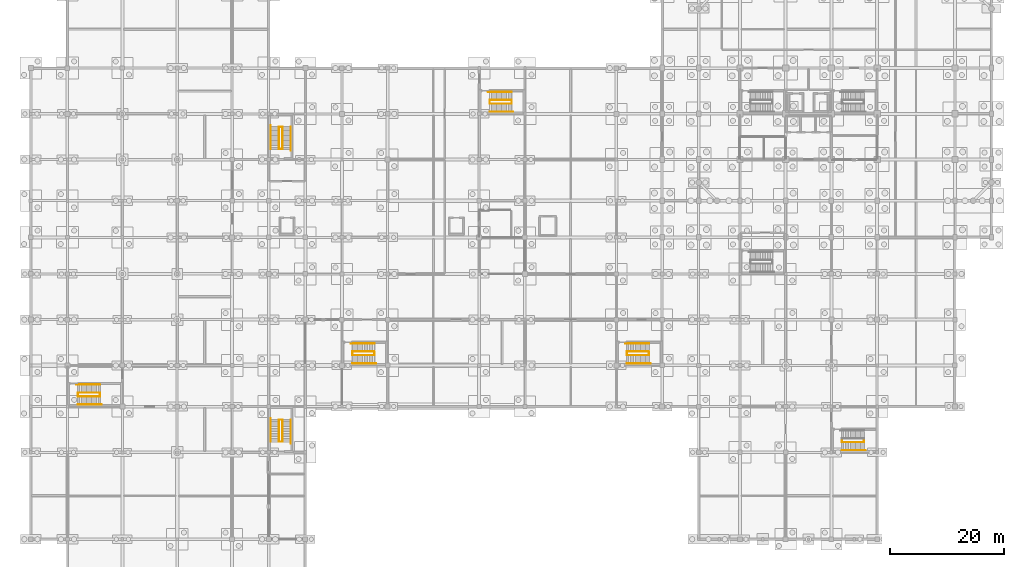
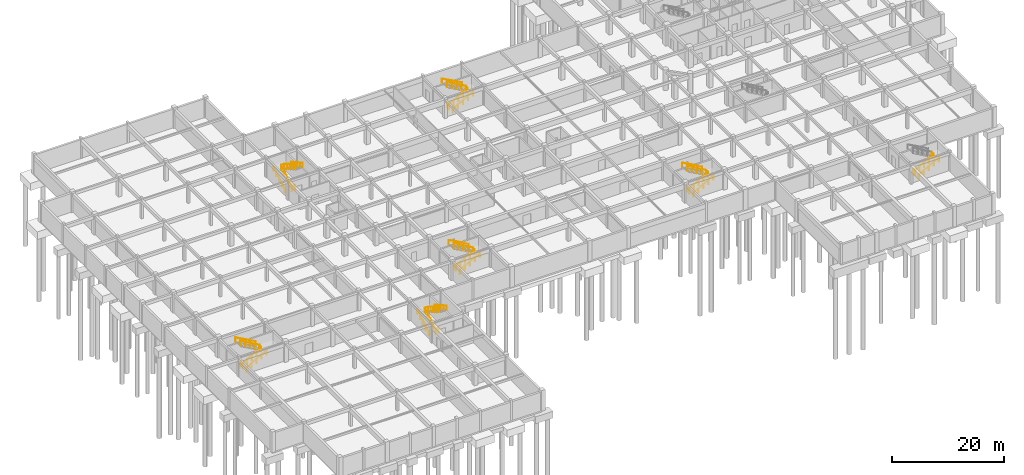
# One storey, part 27 of 28: 26 railings.
"""IFC4 building model written with IfcOpenShell, lengths in metres."""

import ifcopenshell
import ifcopenshell.guid

model = None  # the IFC model being written
_history = None  # IfcOwnerHistory: only IFC2X3 demands one
_inside = {}  # id of a spatial element -> (the spatial element, [elements in it])
_under = {}  # id of a project, library or spatial element -> (it, [spatial elements below it])
_declared = {}  # id of a project -> (the project, [libraries it declares])
_typed = {}  # id of a type object -> (the type object, [elements of that type])
_made_of = {}  # id of a material, layer set ... -> (it, [elements and type objects made of it])


def new_model(schema):
    """Start an empty IFC model of exactly this schema.

    Asked for "IFC4X3", IfcOpenShell would pick the latest addendum, in which some entities
    have other attributes; the version numbers below select the first issue.
    IFC2X3 requires an IfcOwnerHistory on every rooted entity: one is made here for all.
    """
    global model, _history
    if schema == "IFC4X3":
        model = ifcopenshell.file(schema_version=(4, 3, 0, 0))
    else:
        model = ifcopenshell.file(schema=schema)
    _inside.clear()
    _under.clear()
    _declared.clear()
    _typed.clear()
    _made_of.clear()
    _history = None
    if model.schema == "IFC2X3":
        org = make("IfcOrganization", Name="unknown")
        user = make(
            "IfcPersonAndOrganization",
            ThePerson=make("IfcPerson", FamilyName="unknown"),
            TheOrganization=org,
        )
        app = make(
            "IfcApplication",
            ApplicationDeveloper=org,
            Version="unknown",
            ApplicationFullName="unknown",
            ApplicationIdentifier="unknown",
        )
        _history = make(
            "IfcOwnerHistory",
            OwningUser=user,
            OwningApplication=app,
            ChangeAction="ADDED",
            CreationDate=0,
        )
    return model


def make(cls, **values):
    """One entity of the class cls with the attributes given. An attribute that is None is left unset."""
    return model.create_entity(
        cls, **{name: value for name, value in values.items() if value is not None}
    )


def rooted(cls, **values):
    """An entity with a GlobalId (a new one), such as an element, a storey or a relation."""
    return make(cls, GlobalId=ifcopenshell.guid.new(), OwnerHistory=_history, **values)


def si_unit(unit_type, name, prefix=None):
    """IfcSIUnit, for example si_unit("LENGTHUNIT", "METRE", prefix="MILLI")."""
    return make("IfcSIUnit", UnitType=unit_type, Prefix=prefix, Name=name)


def assignment(units):
    """IfcUnitAssignment: the units of a project."""
    return None if units is None else make("IfcUnitAssignment", Units=units)


def point(xyz):
    """IfcCartesianPoint."""
    return None if xyz is None else make("IfcCartesianPoint", Coordinates=xyz)


def direction(xyz):
    """IfcDirection."""
    return None if xyz is None else make("IfcDirection", DirectionRatios=xyz)


def frame(location, z_axis=None, x_axis=None):
    """IfcAxis2Placement3D, a coordinate frame: its origin and axes. An axis left out is left unset."""
    return make(
        "IfcAxis2Placement3D",
        Location=point(location),
        Axis=direction(z_axis),
        RefDirection=direction(x_axis),
    )


def frame_2d(location, x_axis=None):
    """IfcAxis2Placement2D, a coordinate frame in the plane: its origin and x axis."""
    return make(
        "IfcAxis2Placement2D", Location=point(location), RefDirection=direction(x_axis)
    )


def origin():
    """The frame at (0, 0, 0) with its axes left unset."""
    return frame((0.0, 0.0, 0.0))


def origin_2d():
    """The frame at (0, 0) in the plane with its x axis left unset."""
    return frame_2d((0.0, 0.0))


def place(relative_to, where):
    """IfcLocalPlacement: puts the frame where relative to a parent placement (None: the world)."""
    return make(
        "IfcLocalPlacement", PlacementRelTo=relative_to, RelativePlacement=where
    )


def context(
    kind, dimensions, precision=None, world=None, true_north=None, identifier=None
):
    """IfcGeometricRepresentationContext, for example the 3D "Model" context."""
    return make(
        "IfcGeometricRepresentationContext",
        ContextIdentifier=identifier,
        ContextType=kind,
        CoordinateSpaceDimension=dimensions,
        Precision=precision,
        WorldCoordinateSystem=world,
        TrueNorth=true_north,
    )


def subcontext(parent, identifier, kind, view, scale=None):
    """IfcGeometricRepresentationSubContext, for example "Body" below "Model"."""
    return make(
        "IfcGeometricRepresentationSubContext",
        ContextIdentifier=identifier,
        ContextType=kind,
        ParentContext=parent,
        TargetScale=scale,
        TargetView=view,
    )


def project(units=None, contexts=None):
    """IfcProject with its units and contexts."""
    return rooted(
        "IfcProject",
        Name="project",
        RepresentationContexts=contexts,
        UnitsInContext=assignment(units),
    )


def spatial(cls, under=None, at=None, **own):
    """A site, building, storey or space (cls), placed at a placement, below another one or the project."""
    s = rooted(cls, ObjectPlacement=at, **own)
    if under is not None:
        _under.setdefault(under.id(), (under, []))[1].append(s)
    return s


def profile(cls, at=None, kind="AREA", **sizes):
    """A parametric profile (cls). Its sizes go by their IFC names, for example OverallWidth=200.0."""
    return make(cls, ProfileType=kind, Position=at, **sizes)


def circle(**sizes):
    """IfcCircleProfileDef."""
    return profile("IfcCircleProfileDef", **sizes)


def extrude(swept, where, along, depth):
    """IfcExtrudedAreaSolid: the profile swept, set in the frame where, extruded along a direction by depth."""
    return make(
        "IfcExtrudedAreaSolid",
        SweptArea=swept,
        Position=where,
        ExtrudedDirection=direction(along),
        Depth=depth,
    )


def shape(context_of_items, identifier, shape_type, items):
    """IfcShapeRepresentation: the items that make up one representation, for example the "Body"."""
    return make(
        "IfcShapeRepresentation",
        ContextOfItems=context_of_items,
        RepresentationIdentifier=identifier,
        RepresentationType=shape_type,
        Items=items,
    )


def material(Name=None, Category=None):
    """IfcMaterial."""
    return make("IfcMaterial", Name=Name, Category=Category)


def made_of(thing, what):
    """Note that an element or type object is made of a material, layer set ...; save() writes the relation."""
    if what is not None:
        _made_of.setdefault(what.id(), (what, []))[1].append(thing)
    return thing


def type_object(cls, material=None, **own):
    """A type object (cls), such as IfcWallType, which elements share."""
    return made_of(rooted(cls, **own), material)


def element(
    cls,
    number,
    at=None,
    inside=None,
    cuts=None,
    type_object=None,
    material=None,
    context=None,
    identifier="Body",
    shape_type=None,
    held_by="IfcProductDefinitionShape",
    body=None,
    shapes=None,
    **own,
):
    """One element of the class cls, such as IfcWall. Its Tag is "e" and its number.

    at: its placement. inside: the storey or other place that contains it. cuts: it is an
    opening in that element (IfcRelVoidsElement). A single representation is given by context,
    identifier, shape_type and body (its items); several are given by shapes. held_by: the class
    of the entity that holds the representations. save() writes the other relations.
    """
    e = rooted(cls, Tag="e%d" % number, ObjectPlacement=at, **own)
    if body is not None:
        shapes = [shape(context, identifier, shape_type, body)]
    if shapes is not None:
        e.Representation = make(held_by, Representations=shapes)
    if inside is not None:
        _inside.setdefault(inside.id(), (inside, []))[1].append(e)
    if cuts is not None:
        rooted(
            "IfcRelVoidsElement", RelatingBuildingElement=cuts, RelatedOpeningElement=e
        )
    if type_object is not None:
        _typed.setdefault(type_object.id(), (type_object, []))[1].append(e)
    return made_of(e, material)


def aggregate(whole, parts):
    """IfcRelAggregates: a whole, such as a stair, and the parts it consists of."""
    return rooted("IfcRelAggregates", RelatingObject=whole, RelatedObjects=parts)


def save(model, path):
    """Write the relations noted so far, then the file.

    IfcRelAggregates (storeys below a building ...), IfcRelContainedInSpatialStructure (elements
    in a storey), IfcRelDefinesByType, IfcRelAssociatesMaterial and IfcRelDeclares: one each for
    every whole, place, type object, material and project.
    """
    for whole, parts in _under.values():
        aggregate(whole, parts)
    for where, things in _inside.values():
        rooted(
            "IfcRelContainedInSpatialStructure",
            RelatedElements=things,
            RelatingStructure=where,
        )
    for kind, things in _typed.values():
        rooted("IfcRelDefinesByType", RelatedObjects=things, RelatingType=kind)
    for what, things in _made_of.values():
        rooted("IfcRelAssociatesMaterial", RelatedObjects=things, RelatingMaterial=what)
    for by, libraries in _declared.values():
        rooted("IfcRelDeclares", RelatingContext=by, RelatedDefinitions=libraries)
    model.write(path)


model = new_model("IFC4")

# Units and contexts
model_context = context("Model", 3, precision=1e-05, world=origin(), true_north=direction((0.0, 1.0)))
body_context = subcontext(model_context, "Body", "Model", "MODEL_VIEW")
ifc_project = project(units=[si_unit("LENGTHUNIT", "METRE"), si_unit("AREAUNIT", "SQUARE_METRE"), si_unit("VOLUMEUNIT", "CUBIC_METRE"), si_unit("PLANEANGLEUNIT", "RADIAN"), si_unit("MASSUNIT", "GRAM", prefix="KILO")], contexts=[model_context])

# Site, building, storey
site_placement = place(None, origin())
site = spatial("IfcSite", under=ifc_project, at=site_placement, CompositionType="ELEMENT")
building_placement = place(site_placement, origin())
building = spatial("IfcBuilding", under=site, at=building_placement, Name="Vellmiral Cinema and Media Centre", CompositionType="ELEMENT")
storey_placement = place(building_placement, frame((0.0, 0.0, -4.5)))
storey = spatial("IfcBuildingStorey", under=building, at=storey_placement, Name="B1", CompositionType="ELEMENT", Elevation=-4.5)

# Railings
ifc_material_1 = material(Name="Brushed Stainless Steel Handrail", Category="steel")
railing_type_1 = type_object("IfcRailingType", Name="RL-HANDRAIL-900", PredefinedType="HANDRAIL", material=ifc_material_1)
railing_1_placement = place(storey_placement, frame((41.9599609375, 29.85009765625, 0.16064453125)))
element("IfcRailing", 1, at=railing_1_placement, inside=storey, type_object=railing_type_1, Name="Stair Wall Handrail ST-P1 B1-1", PredefinedType="HANDRAIL", context=body_context, shape_type="SweptSolid", body=[
    extrude(circle(Radius=0.02392578125, at=origin_2d()), frame((0.0, 0.0, 0.8759765625), z_axis=(0.0, 0.878133529518, 0.478415618825), x_axis=(-1.0, 0.0, 0.0)), (0.0, 0.0, 1.0), 4.703125),
    extrude(circle(Radius=0.02099609375, at=origin_2d()), origin(), (0.0, 0.0, 1.0), 0.851806640625),
    extrude(circle(Radius=0.02099609375, at=origin_2d()), frame((0.0, 1.032470703125, 0.5625)), (0.0, 0.0, 1.0), 0.851806640625),
    extrude(circle(Radius=0.02099609375, at=origin_2d()), frame((0.0, 2.06494140625, 1.125)), (0.0, 0.0, 1.0), 0.851806640625),
    extrude(circle(Radius=0.02099609375, at=origin_2d()), frame((0.0, 3.097412109375, 1.6875)), (0.0, 0.0, 1.0), 0.851806640625),
    extrude(circle(Radius=0.02099609375, at=origin_2d()), frame((0.0, 4.1298828125, 2.25)), (0.0, 0.0, 1.0), 0.851806640625),
])
railing_2_placement = place(storey_placement, frame((45.43994140625, 33.68505859375, 2.41064453125)))
element("IfcRailing", 2, at=railing_2_placement, inside=storey, type_object=railing_type_1, Name="Stair Wall Handrail ST-P1 B1-2", PredefinedType="HANDRAIL", context=body_context, shape_type="SweptSolid", body=[
    extrude(circle(Radius=0.02392578125, at=origin_2d()), frame((0.0, 0.0, 0.8759765625), z_axis=(0.0, -0.878145410269, 0.478393811021), x_axis=(1.0, 0.0, 0.0)), (0.0, 0.0, 1.0), 4.703125),
    extrude(circle(Radius=0.02099609375, at=origin_2d()), origin(), (0.0, 0.0, 1.0), 0.851806640625),
    extrude(circle(Radius=0.02099609375, at=origin_2d()), frame((0.0, -1.032470703125, 0.5625)), (0.0, 0.0, 1.0), 0.851806640625),
    extrude(circle(Radius=0.02099609375, at=origin_2d()), frame((0.0, -2.06494140625, 1.125)), (0.0, 0.0, 1.0), 0.851806640625),
    extrude(circle(Radius=0.02099609375, at=origin_2d()), frame((0.0, -3.09765625, 1.6875)), (0.0, 0.0, 1.0), 0.851806640625),
    extrude(circle(Radius=0.02099609375, at=origin_2d()), frame((0.0, -4.130126953125, 2.25)), (0.0, 0.0, 1.0), 0.851806640625),
])
railing_3_placement = place(storey_placement, frame((41.9599609375, 81.050048828125, 0.16064453125)))
element("IfcRailing", 3, at=railing_3_placement, inside=storey, type_object=railing_type_1, Name="Stair Wall Handrail ST-P2 B1-1", PredefinedType="HANDRAIL", context=body_context, shape_type="SweptSolid", body=[
    extrude(circle(Radius=0.02392578125, at=origin_2d()), frame((0.0, 0.0, 0.8759765625), z_axis=(0.0, 0.878133529518, 0.478415618825), x_axis=(-1.0, 0.0, 0.0)), (0.0, 0.0, 1.0), 4.703125),
    extrude(circle(Radius=0.02099609375, at=origin_2d()), origin(), (0.0, 0.0, 1.0), 0.851806640625),
    extrude(circle(Radius=0.02099609375, at=origin_2d()), frame((0.0, 1.032470703125, 0.5625)), (0.0, 0.0, 1.0), 0.851806640625),
    extrude(circle(Radius=0.02099609375, at=origin_2d()), frame((0.0, 2.06494140625, 1.125)), (0.0, 0.0, 1.0), 0.851806640625),
    extrude(circle(Radius=0.02099609375, at=origin_2d()), frame((0.0, 3.097412109375, 1.6875)), (0.0, 0.0, 1.0), 0.851806640625),
    extrude(circle(Radius=0.02099609375, at=origin_2d()), frame((0.0, 4.1298828125, 2.25)), (0.0, 0.0, 1.0), 0.851806640625),
])
railing_4_placement = place(storey_placement, frame((45.43994140625, 84.885009765625, 2.41064453125)))
element("IfcRailing", 4, at=railing_4_placement, inside=storey, type_object=railing_type_1, Name="Stair Wall Handrail ST-P2 B1-2", PredefinedType="HANDRAIL", context=body_context, shape_type="SweptSolid", body=[
    extrude(circle(Radius=0.02392578125, at=origin_2d()), frame((0.0, 0.0, 0.8759765625), z_axis=(0.0, -0.878145410269, 0.478393811021), x_axis=(1.0, 0.0, 0.0)), (0.0, 0.0, 1.0), 4.703125),
    extrude(circle(Radius=0.02099609375, at=origin_2d()), origin(), (0.0, 0.0, 1.0), 0.851806640625),
    extrude(circle(Radius=0.02099609375, at=origin_2d()), frame((0.0, -1.032470703125, 0.5625)), (0.0, 0.0, 1.0), 0.851806640625),
    extrude(circle(Radius=0.02099609375, at=origin_2d()), frame((0.0, -2.06494140625, 1.125)), (0.0, 0.0, 1.0), 0.851806640625),
    extrude(circle(Radius=0.02099609375, at=origin_2d()), frame((0.0, -3.09765625, 1.6875)), (0.0, 0.0, 1.0), 0.851806640625),
    extrude(circle(Radius=0.02099609375, at=origin_2d()), frame((0.0, -4.130126953125, 2.25)), (0.0, 0.0, 1.0), 0.851806640625),
])
railing_5_placement = place(storey_placement, frame((56.25, 43.56005859375, 0.16064453125)))
element("IfcRailing", 5, at=railing_5_placement, inside=storey, type_object=railing_type_1, Name="Stair Wall Handrail ST-P3 B1-1", PredefinedType="HANDRAIL", context=body_context, shape_type="SweptSolid", body=[
    extrude(circle(Radius=0.02392578125, at=origin_2d()), frame((0.0, 0.0, 0.8759765625), z_axis=(0.878133529518, 0.0, 0.478415618825), x_axis=(0.0, 1.0, 0.0)), (0.0, 0.0, 1.0), 4.703125),
    extrude(circle(Radius=0.02099609375, at=origin_2d()), origin(), (0.0, 0.0, 1.0), 0.851806640625),
    extrude(circle(Radius=0.02099609375, at=origin_2d()), frame((1.032470703125, 0.0, 0.5625)), (0.0, 0.0, 1.0), 0.851806640625),
    extrude(circle(Radius=0.02099609375, at=origin_2d()), frame((2.06494140625, 0.0, 1.125)), (0.0, 0.0, 1.0), 0.851806640625),
    extrude(circle(Radius=0.02099609375, at=origin_2d()), frame((3.097412109375, 0.0, 1.6875)), (0.0, 0.0, 1.0), 0.851806640625),
    extrude(circle(Radius=0.02099609375, at=origin_2d()), frame((4.1298828125, 0.0, 2.25)), (0.0, 0.0, 1.0), 0.851806640625),
])
railing_6_placement = place(storey_placement, frame((60.0849609375, 47.0400390625, 2.41064453125)))
element("IfcRailing", 6, at=railing_6_placement, inside=storey, type_object=railing_type_1, Name="Stair Wall Handrail ST-P3 B1-2", PredefinedType="HANDRAIL", context=body_context, shape_type="SweptSolid", body=[
    extrude(circle(Radius=0.02392578125, at=origin_2d()), frame((0.0, 0.0, 0.8759765625), z_axis=(-0.878133529518, 0.0, 0.478415618825), x_axis=(0.0, -1.0, 0.0)), (0.0, 0.0, 1.0), 4.703125),
    extrude(circle(Radius=0.02099609375, at=origin_2d()), origin(), (0.0, 0.0, 1.0), 0.851806640625),
    extrude(circle(Radius=0.02099609375, at=origin_2d()), frame((-1.032470703125, 0.0, 0.5625)), (0.0, 0.0, 1.0), 0.851806640625),
    extrude(circle(Radius=0.02099609375, at=origin_2d()), frame((-2.06494140625, 0.0, 1.125)), (0.0, 0.0, 1.0), 0.851806640625),
    extrude(circle(Radius=0.02099609375, at=origin_2d()), frame((-3.097412109375, 0.0, 1.6875)), (0.0, 0.0, 1.0), 0.851806640625),
    extrude(circle(Radius=0.02099609375, at=origin_2d()), frame((-4.1298828125, 0.0, 2.25)), (0.0, 0.0, 1.0), 0.851806640625),
])
railing_7_placement = place(storey_placement, frame((104.25, 43.56005859375, 0.16064453125)))
element("IfcRailing", 7, at=railing_7_placement, inside=storey, type_object=railing_type_1, Name="Stair Wall Handrail ST-P4 B1-1", PredefinedType="HANDRAIL", context=body_context, shape_type="SweptSolid", body=[
    extrude(circle(Radius=0.02392578125, at=origin_2d()), frame((0.0, 0.0, 0.8759765625), z_axis=(0.878133529518, 0.0, 0.478415618825), x_axis=(0.0, 1.0, 0.0)), (0.0, 0.0, 1.0), 4.703125),
    extrude(circle(Radius=0.02099609375, at=origin_2d()), origin(), (0.0, 0.0, 1.0), 0.851806640625),
    extrude(circle(Radius=0.02099609375, at=origin_2d()), frame((1.032470703125, 0.0, 0.5625)), (0.0, 0.0, 1.0), 0.851806640625),
    extrude(circle(Radius=0.02099609375, at=origin_2d()), frame((2.06494140625, 0.0, 1.125)), (0.0, 0.0, 1.0), 0.851806640625),
    extrude(circle(Radius=0.02099609375, at=origin_2d()), frame((3.097412109375, 0.0, 1.6875)), (0.0, 0.0, 1.0), 0.851806640625),
    extrude(circle(Radius=0.02099609375, at=origin_2d()), frame((4.1298828125, 0.0, 2.25)), (0.0, 0.0, 1.0), 0.851806640625),
])
railing_8_placement = place(storey_placement, frame((108.0849609375, 47.0400390625, 2.41064453125)))
element("IfcRailing", 8, at=railing_8_placement, inside=storey, type_object=railing_type_1, Name="Stair Wall Handrail ST-P4 B1-2", PredefinedType="HANDRAIL", context=body_context, shape_type="SweptSolid", body=[
    extrude(circle(Radius=0.02392578125, at=origin_2d()), frame((0.0, 0.0, 0.8759765625), z_axis=(-0.878133529518, 0.0, 0.478415618825), x_axis=(0.0, -1.0, 0.0)), (0.0, 0.0, 1.0), 4.703125),
    extrude(circle(Radius=0.02099609375, at=origin_2d()), origin(), (0.0, 0.0, 1.0), 0.851806640625),
    extrude(circle(Radius=0.02099609375, at=origin_2d()), frame((-1.032470703125, 0.0, 0.5625)), (0.0, 0.0, 1.0), 0.851806640625),
    extrude(circle(Radius=0.02099609375, at=origin_2d()), frame((-2.06494140625, 0.0, 1.125)), (0.0, 0.0, 1.0), 0.851806640625),
    extrude(circle(Radius=0.02099609375, at=origin_2d()), frame((-3.097412109375, 0.0, 1.6875)), (0.0, 0.0, 1.0), 0.851806640625),
    extrude(circle(Radius=0.02099609375, at=origin_2d()), frame((-4.1298828125, 0.0, 2.25)), (0.0, 0.0, 1.0), 0.851806640625),
])
railing_9_placement = place(storey_placement, frame((80.25, 87.56005859375, 0.16064453125)))
element("IfcRailing", 9, at=railing_9_placement, inside=storey, type_object=railing_type_1, Name="Stair Wall Handrail ST-P5 B1-1", PredefinedType="HANDRAIL", context=body_context, shape_type="SweptSolid", body=[
    extrude(circle(Radius=0.02392578125, at=origin_2d()), frame((0.0, 0.0, 0.8759765625), z_axis=(0.878133529518, 0.0, 0.478415618825), x_axis=(0.0, 1.0, 0.0)), (0.0, 0.0, 1.0), 4.703125),
    extrude(circle(Radius=0.02099609375, at=origin_2d()), origin(), (0.0, 0.0, 1.0), 0.851806640625),
    extrude(circle(Radius=0.02099609375, at=origin_2d()), frame((1.032470703125, 0.0, 0.5625)), (0.0, 0.0, 1.0), 0.851806640625),
    extrude(circle(Radius=0.02099609375, at=origin_2d()), frame((2.06494140625, 0.0, 1.125)), (0.0, 0.0, 1.0), 0.851806640625),
    extrude(circle(Radius=0.02099609375, at=origin_2d()), frame((3.097412109375, 0.0, 1.6875)), (0.0, 0.0, 1.0), 0.851806640625),
    extrude(circle(Radius=0.02099609375, at=origin_2d()), frame((4.1298828125, 0.0, 2.25)), (0.0, 0.0, 1.0), 0.851806640625),
])
railing_10_placement = place(storey_placement, frame((84.0849609375, 91.0400390625, 2.41064453125)))
element("IfcRailing", 10, at=railing_10_placement, inside=storey, type_object=railing_type_1, Name="Stair Wall Handrail ST-P5 B1-2", PredefinedType="HANDRAIL", context=body_context, shape_type="SweptSolid", body=[
    extrude(circle(Radius=0.02392578125, at=origin_2d()), frame((0.0, 0.0, 0.8759765625), z_axis=(-0.878133529518, 0.0, 0.478415618825), x_axis=(0.0, -1.0, 0.0)), (0.0, 0.0, 1.0), 4.703125),
    extrude(circle(Radius=0.02099609375, at=origin_2d()), origin(), (0.0, 0.0, 1.0), 0.851806640625),
    extrude(circle(Radius=0.02099609375, at=origin_2d()), frame((-1.032470703125, 0.0, 0.5625)), (0.0, 0.0, 1.0), 0.851806640625),
    extrude(circle(Radius=0.02099609375, at=origin_2d()), frame((-2.06494140625, 0.0, 1.125)), (0.0, 0.0, 1.0), 0.851806640625),
    extrude(circle(Radius=0.02099609375, at=origin_2d()), frame((-3.097412109375, 0.0, 1.6875)), (0.0, 0.0, 1.0), 0.851806640625),
    extrude(circle(Radius=0.02099609375, at=origin_2d()), frame((-4.1298828125, 0.0, 2.25)), (0.0, 0.0, 1.0), 0.851806640625),
])
railing_11_placement = place(storey_placement, frame((8.25, 36.360107421875, 0.16064453125)))
element("IfcRailing", 11, at=railing_11_placement, inside=storey, type_object=railing_type_1, Name="Stair Wall Handrail ST-P7 B1-1", PredefinedType="HANDRAIL", context=body_context, shape_type="SweptSolid", body=[
    extrude(circle(Radius=0.02392578125, at=origin_2d()), frame((0.0, 0.0, 0.8759765625), z_axis=(0.878133529518, 0.0, 0.478415618825), x_axis=(0.0, 1.0, 0.0)), (0.0, 0.0, 1.0), 4.703125),
    extrude(circle(Radius=0.02099609375, at=origin_2d()), origin(), (0.0, 0.0, 1.0), 0.851806640625),
    extrude(circle(Radius=0.02099609375, at=origin_2d()), frame((1.032470703125, 0.0, 0.5625)), (0.0, 0.0, 1.0), 0.851806640625),
    extrude(circle(Radius=0.02099609375, at=origin_2d()), frame((2.06494140625, 0.0, 1.125)), (0.0, 0.0, 1.0), 0.851806640625),
    extrude(circle(Radius=0.02099609375, at=origin_2d()), frame((3.097412109375, 0.0, 1.6875)), (0.0, 0.0, 1.0), 0.851806640625),
    extrude(circle(Radius=0.02099609375, at=origin_2d()), frame((4.1298828125, 0.0, 2.25)), (0.0, 0.0, 1.0), 0.851806640625),
])
railing_12_placement = place(storey_placement, frame((12.0849609375, 39.840087890625, 2.41064453125)))
element("IfcRailing", 12, at=railing_12_placement, inside=storey, type_object=railing_type_1, Name="Stair Wall Handrail ST-P7 B1-2", PredefinedType="HANDRAIL", context=body_context, shape_type="SweptSolid", body=[
    extrude(circle(Radius=0.02392578125, at=origin_2d()), frame((0.0, 0.0, 0.8759765625), z_axis=(-0.878133529518, 0.0, 0.478415618825), x_axis=(0.0, -1.0, 0.0)), (0.0, 0.0, 1.0), 4.703125),
    extrude(circle(Radius=0.02099609375, at=origin_2d()), origin(), (0.0, 0.0, 1.0), 0.851806640625),
    extrude(circle(Radius=0.02099609375, at=origin_2d()), frame((-1.032470703125, 0.0, 0.5625)), (0.0, 0.0, 1.0), 0.851806640625),
    extrude(circle(Radius=0.02099609375, at=origin_2d()), frame((-2.06494140625, 0.0, 1.125)), (0.0, 0.0, 1.0), 0.851806640625),
    extrude(circle(Radius=0.02099609375, at=origin_2d()), frame((-3.097412109375, 0.0, 1.6875)), (0.0, 0.0, 1.0), 0.851806640625),
    extrude(circle(Radius=0.02099609375, at=origin_2d()), frame((-4.1298828125, 0.0, 2.25)), (0.0, 0.0, 1.0), 0.851806640625),
])
railing_13_placement = place(storey_placement, frame((141.85009765625, 28.360107421875, 0.16064453125)))
element("IfcRailing", 13, at=railing_13_placement, inside=storey, type_object=railing_type_1, Name="Stair Wall Handrail ST-P8 B1-1", PredefinedType="HANDRAIL", context=body_context, shape_type="SweptSolid", body=[
    extrude(circle(Radius=0.02392578125, at=origin_2d()), frame((0.0, 0.0, 0.8759765625), z_axis=(0.878133529518, 0.0, 0.478415618825), x_axis=(0.0, 1.0, 0.0)), (0.0, 0.0, 1.0), 4.703125),
    extrude(circle(Radius=0.02099609375, at=origin_2d()), origin(), (0.0, 0.0, 1.0), 0.851806640625),
    extrude(circle(Radius=0.02099609375, at=origin_2d()), frame((1.032470703125, 0.0, 0.5625)), (0.0, 0.0, 1.0), 0.851806640625),
    extrude(circle(Radius=0.02099609375, at=origin_2d()), frame((2.06494140625, 0.0, 1.125)), (0.0, 0.0, 1.0), 0.851806640625),
    extrude(circle(Radius=0.02099609375, at=origin_2d()), frame((3.097412109375, 0.0, 1.6875)), (0.0, 0.0, 1.0), 0.851806640625),
    extrude(circle(Radius=0.02099609375, at=origin_2d()), frame((4.1298828125, 0.0, 2.25)), (0.0, 0.0, 1.0), 0.851806640625),
])
ifc_material_2 = material(Name="Painted Steel Stair Guardrail", Category="steel")
railing_type_2 = type_object("IfcRailingType", Name="RL-STAIR-GUARD-1120", PredefinedType="GUARDRAIL", material=ifc_material_2)
railing_14_placement = place(storey_placement, frame((43.97998046875, 29.85009765625, 0.0)))
element("IfcRailing", 14, at=railing_14_placement, inside=storey, type_object=railing_type_2, Name="Stair Well Guard ST-P1 B1-A", PredefinedType="GUARDRAIL", context=body_context, shape_type="SweptSolid", body=[
    extrude(circle(Radius=0.02392578125, at=origin_2d()), frame((0.0, 0.0, 1.09619140625), z_axis=(-1.0, 0.0, 0.0), x_axis=(0.0, -1.0, 0.0)), (0.0, 0.0, 1.0), 0.60009765625),
    extrude(circle(Radius=0.02392578125, at=origin_2d()), frame((-0.60009765625, 0.0, 1.09619140625), z_axis=(0.0, 0.86250956776, 0.506040754805), x_axis=(-1.0, 0.0, 0.0)), (0.0, 0.0, 1.0), 4.4462890625),
    extrude(circle(Radius=0.02392578125, at=origin_2d()), frame((-0.60009765625, 3.8349609375, 3.34619140625), z_axis=(1.0, 0.0, 0.0), x_axis=(0.0, 1.0, 0.0)), (0.0, 0.0, 1.0), 0.64013671875),
    extrude(circle(Radius=0.02099609375, at=origin_2d()), origin(), (0.0, 0.0, 1.0), 1.072021484375),
    extrude(circle(Radius=0.02099609375, at=origin_2d()), frame((-0.60009765625, 0.0, 0.0)), (0.0, 0.0, 1.0), 1.072021484375),
    extrude(circle(Radius=0.02099609375, at=origin_2d()), frame((-0.60009765625, 0.958740234375, 0.5625)), (0.0, 0.0, 1.0), 1.072021484375),
    extrude(circle(Radius=0.02099609375, at=origin_2d()), frame((-0.60009765625, 1.91748046875, 1.125)), (0.0, 0.0, 1.0), 1.072021484375),
    extrude(circle(Radius=0.02099609375, at=origin_2d()), frame((-0.60009765625, 2.876220703125, 1.6875)), (0.0, 0.0, 1.0), 1.072021484375),
    extrude(circle(Radius=0.02099609375, at=origin_2d()), frame((-0.60009765625, 3.8349609375, 2.25)), (0.0, 0.0, 1.0), 1.072021484375),
    extrude(circle(Radius=0.02099609375, at=origin_2d()), frame((0.0400390625, 3.8349609375, 2.25)), (0.0, 0.0, 1.0), 1.072021484375),
])
railing_15_placement = place(storey_placement, frame((44.02001953125, 33.68505859375, 2.25)))
element("IfcRailing", 15, at=railing_15_placement, inside=storey, type_object=railing_type_2, Name="Stair Well Guard ST-P1 B1-B", PredefinedType="GUARDRAIL", context=body_context, shape_type="SweptSolid", body=[
    extrude(circle(Radius=0.02392578125, at=origin_2d()), frame((0.0, 0.0, 1.09619140625), z_axis=(0.0, -0.86250956776, 0.506040754805), x_axis=(1.0, 0.0, 0.0)), (0.0, 0.0, 1.0), 4.4462890625),
    extrude(circle(Radius=0.02099609375, at=origin_2d()), origin(), (0.0, 0.0, 1.0), 1.072021484375),
    extrude(circle(Radius=0.02099609375, at=origin_2d()), frame((0.0, -0.958740234375, 0.5625)), (0.0, 0.0, 1.0), 1.072021484375),
    extrude(circle(Radius=0.02099609375, at=origin_2d()), frame((0.0, -1.91748046875, 1.125)), (0.0, 0.0, 1.0), 1.072021484375),
    extrude(circle(Radius=0.02099609375, at=origin_2d()), frame((0.0, -2.876220703125, 1.6875)), (0.0, 0.0, 1.0), 1.072021484375),
    extrude(circle(Radius=0.02099609375, at=origin_2d()), frame((0.0, -3.8349609375, 2.25)), (0.0, 0.0, 1.0), 1.072021484375),
])
railing_16_placement = place(storey_placement, frame((43.97998046875, 81.050048828125, 0.0)))
element("IfcRailing", 16, at=railing_16_placement, inside=storey, type_object=railing_type_2, Name="Stair Well Guard ST-P2 B1-A", PredefinedType="GUARDRAIL", context=body_context, shape_type="SweptSolid", body=[
    extrude(circle(Radius=0.02392578125, at=origin_2d()), frame((0.0, 0.0, 1.09619140625), z_axis=(-1.0, 0.0, 0.0), x_axis=(0.0, -1.0, 0.0)), (0.0, 0.0, 1.0), 0.60009765625),
    extrude(circle(Radius=0.02392578125, at=origin_2d()), frame((-0.60009765625, 0.0, 1.09619140625), z_axis=(0.0, 0.86250956776, 0.506040754805), x_axis=(-1.0, 0.0, 0.0)), (0.0, 0.0, 1.0), 4.4462890625),
    extrude(circle(Radius=0.02392578125, at=origin_2d()), frame((-0.60009765625, 3.8349609375, 3.34619140625), z_axis=(1.0, 0.0, 0.0), x_axis=(0.0, 1.0, 0.0)), (0.0, 0.0, 1.0), 0.64013671875),
    extrude(circle(Radius=0.02099609375, at=origin_2d()), origin(), (0.0, 0.0, 1.0), 1.072021484375),
    extrude(circle(Radius=0.02099609375, at=origin_2d()), frame((-0.60009765625, 0.0, 0.0)), (0.0, 0.0, 1.0), 1.072021484375),
    extrude(circle(Radius=0.02099609375, at=origin_2d()), frame((-0.60009765625, 0.958740234375, 0.5625)), (0.0, 0.0, 1.0), 1.072021484375),
    extrude(circle(Radius=0.02099609375, at=origin_2d()), frame((-0.60009765625, 1.91748046875, 1.125)), (0.0, 0.0, 1.0), 1.072021484375),
    extrude(circle(Radius=0.02099609375, at=origin_2d()), frame((-0.60009765625, 2.876220703125, 1.6875)), (0.0, 0.0, 1.0), 1.072021484375),
    extrude(circle(Radius=0.02099609375, at=origin_2d()), frame((-0.60009765625, 3.8349609375, 2.25)), (0.0, 0.0, 1.0), 1.072021484375),
    extrude(circle(Radius=0.02099609375, at=origin_2d()), frame((0.0400390625, 3.8349609375, 2.25)), (0.0, 0.0, 1.0), 1.072021484375),
])
railing_17_placement = place(storey_placement, frame((44.02001953125, 84.885009765625, 2.25)))
element("IfcRailing", 17, at=railing_17_placement, inside=storey, type_object=railing_type_2, Name="Stair Well Guard ST-P2 B1-B", PredefinedType="GUARDRAIL", context=body_context, shape_type="SweptSolid", body=[
    extrude(circle(Radius=0.02392578125, at=origin_2d()), frame((0.0, 0.0, 1.09619140625), z_axis=(0.0, -0.86250956776, 0.506040754805), x_axis=(1.0, 0.0, 0.0)), (0.0, 0.0, 1.0), 4.4462890625),
    extrude(circle(Radius=0.02099609375, at=origin_2d()), origin(), (0.0, 0.0, 1.0), 1.072021484375),
    extrude(circle(Radius=0.02099609375, at=origin_2d()), frame((0.0, -0.958740234375, 0.5625)), (0.0, 0.0, 1.0), 1.072021484375),
    extrude(circle(Radius=0.02099609375, at=origin_2d()), frame((0.0, -1.91748046875, 1.125)), (0.0, 0.0, 1.0), 1.072021484375),
    extrude(circle(Radius=0.02099609375, at=origin_2d()), frame((0.0, -2.876220703125, 1.6875)), (0.0, 0.0, 1.0), 1.072021484375),
    extrude(circle(Radius=0.02099609375, at=origin_2d()), frame((0.0, -3.8349609375, 2.25)), (0.0, 0.0, 1.0), 1.072021484375),
])
railing_18_placement = place(storey_placement, frame((56.25, 45.580078125, 0.0)))
element("IfcRailing", 18, at=railing_18_placement, inside=storey, type_object=railing_type_2, Name="Stair Well Guard ST-P3 B1-A", PredefinedType="GUARDRAIL", context=body_context, shape_type="SweptSolid", body=[
    extrude(circle(Radius=0.02392578125, at=origin_2d()), frame((0.0, 0.0, 1.09619140625), z_axis=(0.0, -1.0, 0.0), x_axis=(1.0, 0.0, 0.0)), (0.0, 0.0, 1.0), 0.60009765625),
    extrude(circle(Radius=0.02392578125, at=origin_2d()), frame((0.0, -0.60009765625, 1.09619140625), z_axis=(0.86250956776, 0.0, 0.506040754805), x_axis=(0.0, 1.0, 0.0)), (0.0, 0.0, 1.0), 4.4462890625),
    extrude(circle(Radius=0.02392578125, at=origin_2d()), frame((3.8349609375, -0.60009765625, 3.34619140625), z_axis=(0.0, 1.0, 0.0), x_axis=(-1.0, 0.0, 0.0)), (0.0, 0.0, 1.0), 0.64013671875),
    extrude(circle(Radius=0.02099609375, at=origin_2d()), origin(), (0.0, 0.0, 1.0), 1.072021484375),
    extrude(circle(Radius=0.02099609375, at=origin_2d()), frame((0.0, -0.60009765625, 0.0)), (0.0, 0.0, 1.0), 1.072021484375),
    extrude(circle(Radius=0.02099609375, at=origin_2d()), frame((0.958740234375, -0.60009765625, 0.5625)), (0.0, 0.0, 1.0), 1.072021484375),
    extrude(circle(Radius=0.02099609375, at=origin_2d()), frame((1.91748046875, -0.60009765625, 1.125)), (0.0, 0.0, 1.0), 1.072021484375),
    extrude(circle(Radius=0.02099609375, at=origin_2d()), frame((2.876220703125, -0.60009765625, 1.6875)), (0.0, 0.0, 1.0), 1.072021484375),
    extrude(circle(Radius=0.02099609375, at=origin_2d()), frame((3.8349609375, -0.60009765625, 2.25)), (0.0, 0.0, 1.0), 1.072021484375),
    extrude(circle(Radius=0.02099609375, at=origin_2d()), frame((3.8349609375, 0.0400390625, 2.25)), (0.0, 0.0, 1.0), 1.072021484375),
])
railing_19_placement = place(storey_placement, frame((60.0849609375, 45.6201171875, 2.25)))
element("IfcRailing", 19, at=railing_19_placement, inside=storey, type_object=railing_type_2, Name="Stair Well Guard ST-P3 B1-B", PredefinedType="GUARDRAIL", context=body_context, shape_type="SweptSolid", body=[
    extrude(circle(Radius=0.02392578125, at=origin_2d()), frame((0.0, 0.0, 1.09619140625), z_axis=(-0.86250956776, 0.0, 0.506040754805), x_axis=(0.0, -1.0, 0.0)), (0.0, 0.0, 1.0), 4.4462890625),
    extrude(circle(Radius=0.02099609375, at=origin_2d()), origin(), (0.0, 0.0, 1.0), 1.072021484375),
    extrude(circle(Radius=0.02099609375, at=origin_2d()), frame((-0.958740234375, 0.0, 0.5625)), (0.0, 0.0, 1.0), 1.072021484375),
    extrude(circle(Radius=0.02099609375, at=origin_2d()), frame((-1.91748046875, 0.0, 1.125)), (0.0, 0.0, 1.0), 1.072021484375),
    extrude(circle(Radius=0.02099609375, at=origin_2d()), frame((-2.876220703125, 0.0, 1.6875)), (0.0, 0.0, 1.0), 1.072021484375),
    extrude(circle(Radius=0.02099609375, at=origin_2d()), frame((-3.8349609375, 0.0, 2.25)), (0.0, 0.0, 1.0), 1.072021484375),
])
railing_20_placement = place(storey_placement, frame((104.25, 45.580078125, 0.0)))
element("IfcRailing", 20, at=railing_20_placement, inside=storey, type_object=railing_type_2, Name="Stair Well Guard ST-P4 B1-A", PredefinedType="GUARDRAIL", context=body_context, shape_type="SweptSolid", body=[
    extrude(circle(Radius=0.02392578125, at=origin_2d()), frame((0.0, 0.0, 1.09619140625), z_axis=(0.0, -1.0, 0.0), x_axis=(1.0, 0.0, 0.0)), (0.0, 0.0, 1.0), 0.60009765625),
    extrude(circle(Radius=0.02392578125, at=origin_2d()), frame((0.0, -0.60009765625, 1.09619140625), z_axis=(0.86250956776, 0.0, 0.506040754805), x_axis=(0.0, 1.0, 0.0)), (0.0, 0.0, 1.0), 4.4462890625),
    extrude(circle(Radius=0.02392578125, at=origin_2d()), frame((3.8349609375, -0.60009765625, 3.34619140625), z_axis=(0.0, 1.0, 0.0), x_axis=(-1.0, 0.0, 0.0)), (0.0, 0.0, 1.0), 0.64013671875),
    extrude(circle(Radius=0.02099609375, at=origin_2d()), origin(), (0.0, 0.0, 1.0), 1.072021484375),
    extrude(circle(Radius=0.02099609375, at=origin_2d()), frame((0.0, -0.60009765625, 0.0)), (0.0, 0.0, 1.0), 1.072021484375),
    extrude(circle(Radius=0.02099609375, at=origin_2d()), frame((0.958740234375, -0.60009765625, 0.5625)), (0.0, 0.0, 1.0), 1.072021484375),
    extrude(circle(Radius=0.02099609375, at=origin_2d()), frame((1.91748046875, -0.60009765625, 1.125)), (0.0, 0.0, 1.0), 1.072021484375),
    extrude(circle(Radius=0.02099609375, at=origin_2d()), frame((2.876220703125, -0.60009765625, 1.6875)), (0.0, 0.0, 1.0), 1.072021484375),
    extrude(circle(Radius=0.02099609375, at=origin_2d()), frame((3.8349609375, -0.60009765625, 2.25)), (0.0, 0.0, 1.0), 1.072021484375),
    extrude(circle(Radius=0.02099609375, at=origin_2d()), frame((3.8349609375, 0.0400390625, 2.25)), (0.0, 0.0, 1.0), 1.072021484375),
])
railing_21_placement = place(storey_placement, frame((108.0849609375, 45.6201171875, 2.25)))
element("IfcRailing", 21, at=railing_21_placement, inside=storey, type_object=railing_type_2, Name="Stair Well Guard ST-P4 B1-B", PredefinedType="GUARDRAIL", context=body_context, shape_type="SweptSolid", body=[
    extrude(circle(Radius=0.02392578125, at=origin_2d()), frame((0.0, 0.0, 1.09619140625), z_axis=(-0.86250956776, 0.0, 0.506040754805), x_axis=(0.0, -1.0, 0.0)), (0.0, 0.0, 1.0), 4.4462890625),
    extrude(circle(Radius=0.02099609375, at=origin_2d()), origin(), (0.0, 0.0, 1.0), 1.072021484375),
    extrude(circle(Radius=0.02099609375, at=origin_2d()), frame((-0.958740234375, 0.0, 0.5625)), (0.0, 0.0, 1.0), 1.072021484375),
    extrude(circle(Radius=0.02099609375, at=origin_2d()), frame((-1.91748046875, 0.0, 1.125)), (0.0, 0.0, 1.0), 1.072021484375),
    extrude(circle(Radius=0.02099609375, at=origin_2d()), frame((-2.876220703125, 0.0, 1.6875)), (0.0, 0.0, 1.0), 1.072021484375),
    extrude(circle(Radius=0.02099609375, at=origin_2d()), frame((-3.8349609375, 0.0, 2.25)), (0.0, 0.0, 1.0), 1.072021484375),
])
railing_22_placement = place(storey_placement, frame((80.25, 89.580078125, 0.0)))
element("IfcRailing", 22, at=railing_22_placement, inside=storey, type_object=railing_type_2, Name="Stair Well Guard ST-P5 B1-A", PredefinedType="GUARDRAIL", context=body_context, shape_type="SweptSolid", body=[
    extrude(circle(Radius=0.02392578125, at=origin_2d()), frame((0.0, 0.0, 1.09619140625), z_axis=(0.0, -1.0, 0.0), x_axis=(1.0, 0.0, 0.0)), (0.0, 0.0, 1.0), 0.60009765625),
    extrude(circle(Radius=0.02392578125, at=origin_2d()), frame((0.0, -0.60009765625, 1.09619140625), z_axis=(0.86250956776, 0.0, 0.506040754805), x_axis=(0.0, 1.0, 0.0)), (0.0, 0.0, 1.0), 4.4462890625),
    extrude(circle(Radius=0.02392578125, at=origin_2d()), frame((3.8349609375, -0.60009765625, 3.34619140625), z_axis=(0.0, 1.0, 0.0), x_axis=(-1.0, 0.0, 0.0)), (0.0, 0.0, 1.0), 0.64013671875),
    extrude(circle(Radius=0.02099609375, at=origin_2d()), origin(), (0.0, 0.0, 1.0), 1.072021484375),
    extrude(circle(Radius=0.02099609375, at=origin_2d()), frame((0.0, -0.60009765625, 0.0)), (0.0, 0.0, 1.0), 1.072021484375),
    extrude(circle(Radius=0.02099609375, at=origin_2d()), frame((0.958740234375, -0.60009765625, 0.5625)), (0.0, 0.0, 1.0), 1.072021484375),
    extrude(circle(Radius=0.02099609375, at=origin_2d()), frame((1.91748046875, -0.60009765625, 1.125)), (0.0, 0.0, 1.0), 1.072021484375),
    extrude(circle(Radius=0.02099609375, at=origin_2d()), frame((2.876220703125, -0.60009765625, 1.6875)), (0.0, 0.0, 1.0), 1.072021484375),
    extrude(circle(Radius=0.02099609375, at=origin_2d()), frame((3.8349609375, -0.60009765625, 2.25)), (0.0, 0.0, 1.0), 1.072021484375),
    extrude(circle(Radius=0.02099609375, at=origin_2d()), frame((3.8349609375, 0.0400390625, 2.25)), (0.0, 0.0, 1.0), 1.072021484375),
])
railing_23_placement = place(storey_placement, frame((84.0849609375, 89.6201171875, 2.25)))
element("IfcRailing", 23, at=railing_23_placement, inside=storey, type_object=railing_type_2, Name="Stair Well Guard ST-P5 B1-B", PredefinedType="GUARDRAIL", context=body_context, shape_type="SweptSolid", body=[
    extrude(circle(Radius=0.02392578125, at=origin_2d()), frame((0.0, 0.0, 1.09619140625), z_axis=(-0.86250956776, 0.0, 0.506040754805), x_axis=(0.0, -1.0, 0.0)), (0.0, 0.0, 1.0), 4.4462890625),
    extrude(circle(Radius=0.02099609375, at=origin_2d()), origin(), (0.0, 0.0, 1.0), 1.072021484375),
    extrude(circle(Radius=0.02099609375, at=origin_2d()), frame((-0.958740234375, 0.0, 0.5625)), (0.0, 0.0, 1.0), 1.072021484375),
    extrude(circle(Radius=0.02099609375, at=origin_2d()), frame((-1.91748046875, 0.0, 1.125)), (0.0, 0.0, 1.0), 1.072021484375),
    extrude(circle(Radius=0.02099609375, at=origin_2d()), frame((-2.876220703125, 0.0, 1.6875)), (0.0, 0.0, 1.0), 1.072021484375),
    extrude(circle(Radius=0.02099609375, at=origin_2d()), frame((-3.8349609375, 0.0, 2.25)), (0.0, 0.0, 1.0), 1.072021484375),
])
railing_24_placement = place(storey_placement, frame((8.25, 38.3798828125, 0.0)))
element("IfcRailing", 24, at=railing_24_placement, inside=storey, type_object=railing_type_2, Name="Stair Well Guard ST-P7 B1-A", PredefinedType="GUARDRAIL", context=body_context, shape_type="SweptSolid", body=[
    extrude(circle(Radius=0.02392578125, at=origin_2d()), frame((0.0, 0.0, 1.09619140625), z_axis=(0.0, -1.0, 0.0), x_axis=(1.0, 0.0, 0.0)), (0.0, 0.0, 1.0), 0.599853515625),
    extrude(circle(Radius=0.02392578125, at=origin_2d()), frame((0.0, -0.599853515625, 1.09619140625), z_axis=(0.86250956776, 0.0, 0.506040754805), x_axis=(0.0, 1.0, 0.0)), (0.0, 0.0, 1.0), 4.4462890625),
    extrude(circle(Radius=0.02392578125, at=origin_2d()), frame((3.8349609375, -0.599853515625, 3.34619140625), z_axis=(0.0, 1.0, 0.0), x_axis=(-1.0, 0.0, 0.0)), (0.0, 0.0, 1.0), 0.639892578125),
    extrude(circle(Radius=0.02099609375, at=origin_2d()), origin(), (0.0, 0.0, 1.0), 1.072021484375),
    extrude(circle(Radius=0.02099609375, at=origin_2d()), frame((0.0, -0.599853515625, 0.0)), (0.0, 0.0, 1.0), 1.072021484375),
    extrude(circle(Radius=0.02099609375, at=origin_2d()), frame((0.958740234375, -0.599853515625, 0.5625)), (0.0, 0.0, 1.0), 1.072021484375),
    extrude(circle(Radius=0.02099609375, at=origin_2d()), frame((1.91748046875, -0.599853515625, 1.125)), (0.0, 0.0, 1.0), 1.072021484375),
    extrude(circle(Radius=0.02099609375, at=origin_2d()), frame((2.876220703125, -0.599853515625, 1.6875)), (0.0, 0.0, 1.0), 1.072021484375),
    extrude(circle(Radius=0.02099609375, at=origin_2d()), frame((3.8349609375, -0.599853515625, 2.25)), (0.0, 0.0, 1.0), 1.072021484375),
    extrude(circle(Radius=0.02099609375, at=origin_2d()), frame((3.8349609375, 0.0400390625, 2.25)), (0.0, 0.0, 1.0), 1.072021484375),
])
railing_25_placement = place(storey_placement, frame((12.0849609375, 38.419921875, 2.25)))
element("IfcRailing", 25, at=railing_25_placement, inside=storey, type_object=railing_type_2, Name="Stair Well Guard ST-P7 B1-B", PredefinedType="GUARDRAIL", context=body_context, shape_type="SweptSolid", body=[
    extrude(circle(Radius=0.02392578125, at=origin_2d()), frame((0.0, 0.0, 1.09619140625), z_axis=(-0.86250956776, 0.0, 0.506040754805), x_axis=(0.0, -1.0, 0.0)), (0.0, 0.0, 1.0), 4.4462890625),
    extrude(circle(Radius=0.02099609375, at=origin_2d()), origin(), (0.0, 0.0, 1.0), 1.072021484375),
    extrude(circle(Radius=0.02099609375, at=origin_2d()), frame((-0.958740234375, 0.0, 0.5625)), (0.0, 0.0, 1.0), 1.072021484375),
    extrude(circle(Radius=0.02099609375, at=origin_2d()), frame((-1.91748046875, 0.0, 1.125)), (0.0, 0.0, 1.0), 1.072021484375),
    extrude(circle(Radius=0.02099609375, at=origin_2d()), frame((-2.876220703125, 0.0, 1.6875)), (0.0, 0.0, 1.0), 1.072021484375),
    extrude(circle(Radius=0.02099609375, at=origin_2d()), frame((-3.8349609375, 0.0, 2.25)), (0.0, 0.0, 1.0), 1.072021484375),
])
railing_26_placement = place(storey_placement, frame((141.85009765625, 30.3798828125, 0.0)))
element("IfcRailing", 26, at=railing_26_placement, inside=storey, type_object=railing_type_2, Name="Stair Well Guard ST-P8 B1-A", PredefinedType="GUARDRAIL", context=body_context, shape_type="SweptSolid", body=[
    extrude(circle(Radius=0.02392578125, at=origin_2d()), frame((0.0, 0.0, 1.09619140625), z_axis=(0.0, -1.0, 0.0), x_axis=(1.0, 0.0, 0.0)), (0.0, 0.0, 1.0), 0.599853515625),
    extrude(circle(Radius=0.02392578125, at=origin_2d()), frame((0.0, -0.599853515625, 1.09619140625), z_axis=(0.86250956776, 0.0, 0.506040754805), x_axis=(0.0, 1.0, 0.0)), (0.0, 0.0, 1.0), 4.4462890625),
    extrude(circle(Radius=0.02392578125, at=origin_2d()), frame((3.8349609375, -0.599853515625, 3.34619140625), z_axis=(0.0, 1.0, 0.0), x_axis=(-1.0, 0.0, 0.0)), (0.0, 0.0, 1.0), 0.639892578125),
    extrude(circle(Radius=0.02099609375, at=origin_2d()), origin(), (0.0, 0.0, 1.0), 1.072021484375),
    extrude(circle(Radius=0.02099609375, at=origin_2d()), frame((0.0, -0.599853515625, 0.0)), (0.0, 0.0, 1.0), 1.072021484375),
    extrude(circle(Radius=0.02099609375, at=origin_2d()), frame((0.958740234375, -0.599853515625, 0.5625)), (0.0, 0.0, 1.0), 1.072021484375),
    extrude(circle(Radius=0.02099609375, at=origin_2d()), frame((1.91748046875, -0.599853515625, 1.125)), (0.0, 0.0, 1.0), 1.072021484375),
    extrude(circle(Radius=0.02099609375, at=origin_2d()), frame((2.876220703125, -0.599853515625, 1.6875)), (0.0, 0.0, 1.0), 1.072021484375),
    extrude(circle(Radius=0.02099609375, at=origin_2d()), frame((3.8349609375, -0.599853515625, 2.25)), (0.0, 0.0, 1.0), 1.072021484375),
    extrude(circle(Radius=0.02099609375, at=origin_2d()), frame((3.8349609375, 0.0400390625, 2.25)), (0.0, 0.0, 1.0), 1.072021484375),
])

save(model, "model.ifc")
